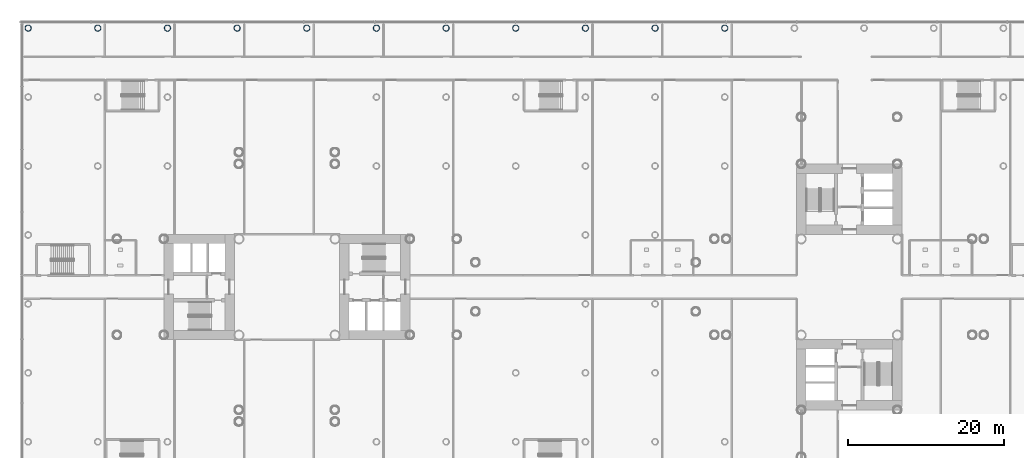
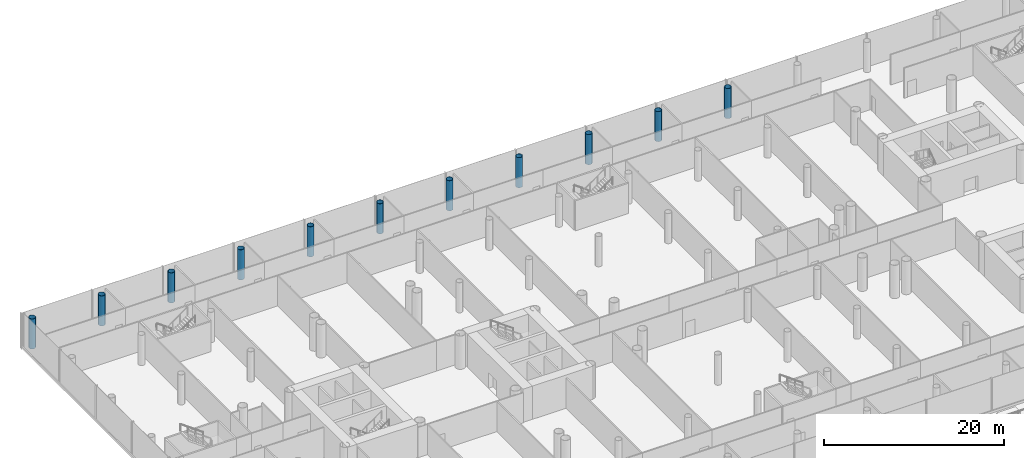
# One storey, part 3 of 49: 11 columns.
"""IFC4 building model written with IfcOpenShell, lengths in metres."""

from ifc_helpers import new_model, si_unit, direction, frame, origin, origin_2d, place, context, subcontext, project, spatial, hollow_circle, extrude, material, material_profile, profile_set, type_object, element, save


model = new_model("IFC4")

# Units and contexts
model_context = context("Model", 3, precision=1e-05, world=origin(), true_north=direction((0.0, 1.0)))
body_context = subcontext(model_context, "Body", "Model", "MODEL_VIEW")
ifc_project = project(units=[si_unit("LENGTHUNIT", "METRE"), si_unit("AREAUNIT", "SQUARE_METRE"), si_unit("VOLUMEUNIT", "CUBIC_METRE"), si_unit("PLANEANGLEUNIT", "RADIAN"), si_unit("MASSUNIT", "GRAM", prefix="KILO")], contexts=[model_context])

# Site, building, storey
site_placement = place(None, origin())
site = spatial("IfcSite", under=ifc_project, at=site_placement, CompositionType="ELEMENT")
building_placement = place(site_placement, origin())
building = spatial("IfcBuilding", under=site, at=building_placement, Name="Ipe Terrace Towers", CompositionType="ELEMENT")
storey_placement = place(building_placement, frame((0.0, 0.0, 20.0)))
storey = spatial("IfcBuildingStorey", under=building, at=storey_placement, Name="L04", CompositionType="ELEMENT", Elevation=20.0)

# Columns
ifc_material = material(Name="Steel S355 tube with Concrete C60/75 fill", Category="concrete")
ifc_material_profile = material_profile(ifc_material, hollow_circle(Radius=0.39990234375, WallThickness=0.028076171875, at=origin_2d()), Name="CHS-800x28")
ifc_profile_set = profile_set([ifc_material_profile], Name="Steel S355 tube with Concrete C60/75 fill")
column_type = type_object("IfcColumnType", Name="CH09 PODIUM COLUMN CHS-800x28", PredefinedType="COLUMN", material=ifc_profile_set)
for number, where, z_axis, x_axis, name in (
    (1, (-69.14990234375, 33.14990234375, 0.0), (0.0, 0.0, 1.0), (1.0, 0.0, 0.0), "Column PD-C-K01"),
    (2, (-60.22998046875, 33.14990234375, 0.0), (0.0, 0.0, 1.0), (1.0, 0.0, 0.0), "Column PD-C-K02"),
    (3, (-51.31005859375, 33.14990234375, 0.0), (0.0, 0.0, 1.0), (1.0, 0.0, 0.0), "Column PD-C-K03"),
    (4, (-42.389892578125, 33.14990234375, 0.0), (0.0, 0.0, 1.0), (1.0, 0.0, 0.0), "Column PD-C-K04"),
    (5, (-33.469970703125, 33.14990234375, 0.0), (0.0, 0.0, 1.0), (1.0, 0.0, 0.0), "Column PD-C-K05"),
    (6, (-24.550048828125, 33.14990234375, 0.0), (0.0, 0.0, 1.0), (1.0, 0.0, 0.0), "Column PD-C-K06"),
    (7, (-15.6298828125, 33.14990234375, 0.0), (0.0, 0.0, 1.0), (1.0, 0.0, 0.0), "Column PD-C-K07"),
    (8, (-6.7099609375, 33.14990234375, 0.0), (0.0, 0.0, 1.0), (1.0, 0.0, 0.0), "Column PD-C-K08"),
    (9, (2.2099609375, 33.14990234375, 0.0), (0.0, 0.0, 1.0), (1.0, 0.0, 0.0), "Column PD-C-K09"),
    (10, (11.1298828125, 33.14990234375, 0.0), (0.0, 0.0, 1.0), (1.0, 0.0, 0.0), "Column PD-C-K10"),
    (11, (20.050048828125, 33.14990234375, 0.0), (0.0, 0.0, 1.0), (1.0, 0.0, 0.0), "Column PD-C-K11"),
):
    element("IfcColumn", number, at=place(storey_placement, frame(where, z_axis=z_axis, x_axis=x_axis)), inside=storey, type_object=column_type, Name=name, PredefinedType="COLUMN", context=body_context, shape_type="SweptSolid", body=[
        extrude(hollow_circle(Radius=0.39990234375, WallThickness=0.028076171875, at=origin_2d()), origin(), (0.0, 0.0, 1.0), 4.080078125),
    ])

save(model, "model.ifc")
